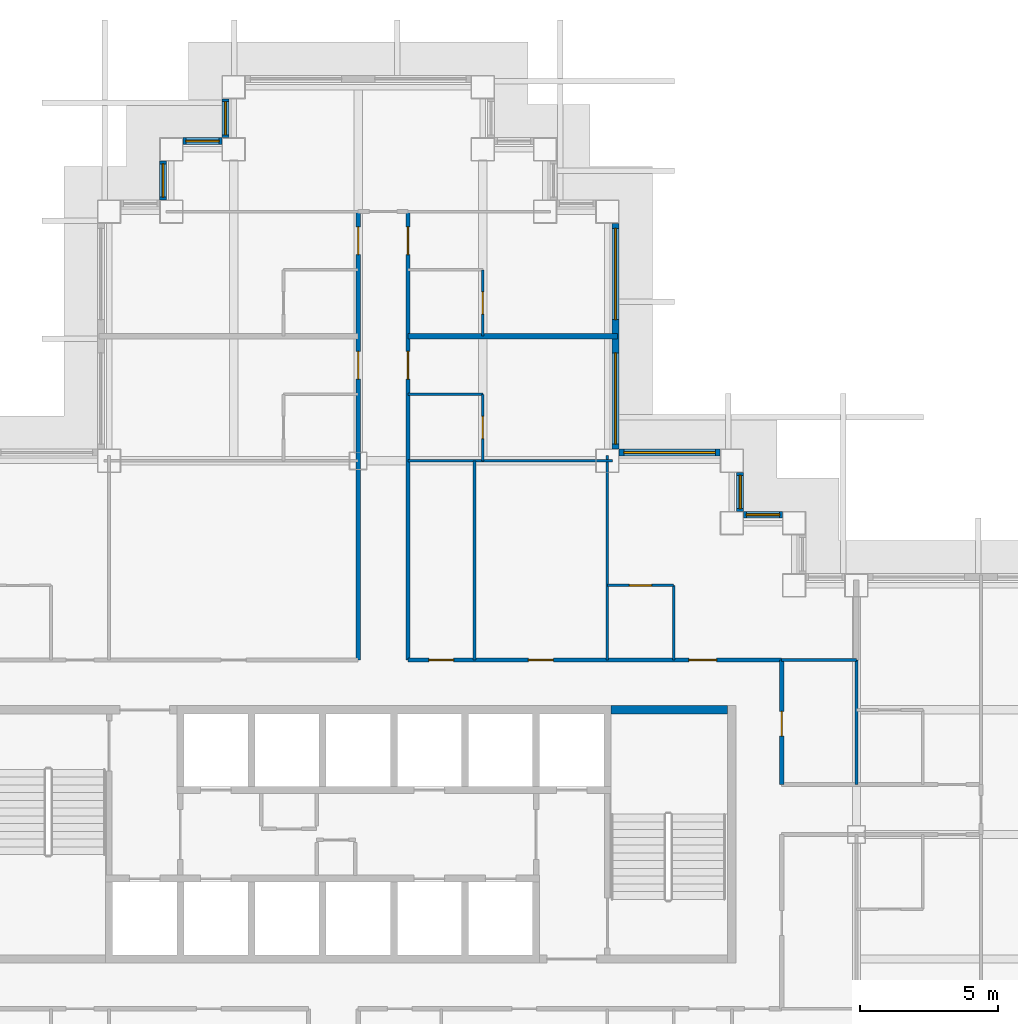
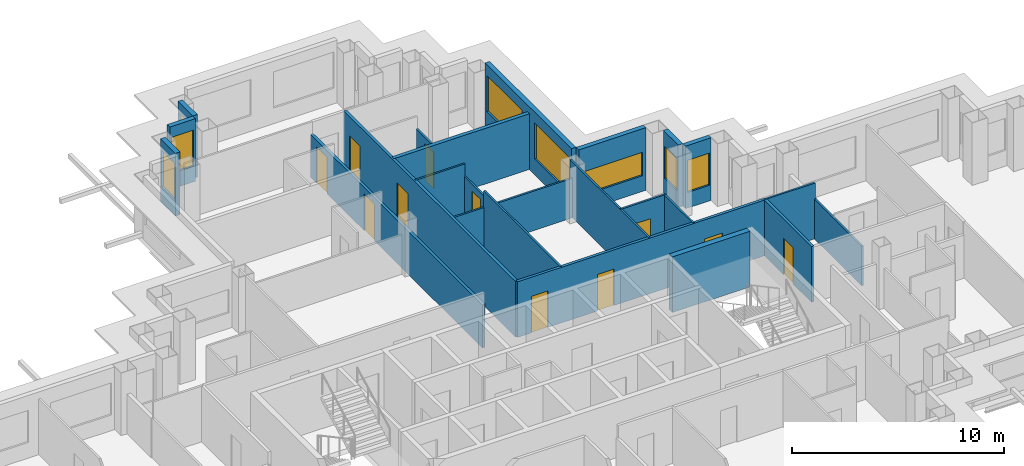
# One storey, part 10 of 17: 23 walls, 11 doors, 8 windows, 19 openings.
"""IFC4 building model written with IfcOpenShell, lengths in metres."""

from ifc_helpers import new_model, si_unit, direction, frame, frame_2d, origin, place, context, subcontext, project, spatial, rectangle, extrude, material, layer, layer_set, type_object, element, fill, save


model = new_model("IFC4")

# Units and contexts
model_context = context("Model", 3, precision=1e-05, world=origin(), true_north=direction((0.0, 1.0)))
body_context = subcontext(model_context, "Body", "Model", "MODEL_VIEW")
ifc_project = project(units=[si_unit("LENGTHUNIT", "METRE"), si_unit("AREAUNIT", "SQUARE_METRE"), si_unit("VOLUMEUNIT", "CUBIC_METRE"), si_unit("PLANEANGLEUNIT", "RADIAN"), si_unit("MASSUNIT", "GRAM", prefix="KILO")], contexts=[model_context])

# Site, building, storey
site_placement = place(None, origin())
site = spatial("IfcSite", under=ifc_project, at=site_placement, CompositionType="ELEMENT")
building_placement = place(site_placement, origin())
building = spatial("IfcBuilding", under=site, at=building_placement, Name="Caravel Reach Hotel and Residences", CompositionType="ELEMENT")
storey_placement = place(building_placement, frame((0.0, 0.0, 136.800048828125)))
storey = spatial("IfcBuildingStorey", under=building, at=storey_placement, Name="L34", CompositionType="ELEMENT", Elevation=136.800048828125)

# Wall, opening, door
ifc_material_1 = material(Name="Gypsum board on steel stud", Category="steel")
ifc_layer_1 = layer(ifc_material_1, 0.10009765625)
ifc_layer_set_1 = layer_set([ifc_layer_1], Name="Bathroom pod wall 100 mm")
wall_type_1 = type_object("IfcWallType", Name="Bathroom pod wall 100 mm", PredefinedType="PARTITIONING", material=ifc_layer_set_1)
wall_1_placement = place(storey_placement, frame((40.5, 36.0, 0.0), z_axis=(0.0, 0.0, 1.0), x_axis=(1.0, 0.0, 0.0)))
wall_1 = element("IfcWall", 1, at=wall_1_placement, inside=storey, type_object=wall_type_1, Name="L34 wall w093", PredefinedType="PARTITIONING", context=body_context, shape_type="SweptSolid", body=[
    extrude(rectangle(XDim=2.39990234375, YDim=0.10009765625, at=frame_2d((1.199951171875, 0.0))), origin(), (0.0, 0.0, 1.0), 3.199951171875),
])
opening_1_placement = place(wall_1_placement, frame((0.800048828125, 0.0, 0.0)))
opening_1 = element("IfcOpeningElement", 2, at=opening_1_placement, cuts=wall_1, Name="Opening D34-051", PredefinedType="OPENING", context=body_context, shape_type="SweptSolid", body=[
    extrude(rectangle(XDim=0.800048828125, YDim=2.10009765625, at=frame_2d((0.39990234375, 1.050048828125))), frame((0.0, 0.06005859375, 0.0), z_axis=(0.0, -1.0, 0.0), x_axis=(1.0, 0.0, 0.0)), (0.0, 0.0, 1.0), 0.1201171875),
])
ifc_material_2 = material(Name="Timber and steel door leaf", Category="steel")
door_type_1 = type_object("IfcDoorType", Name="Bathroom door 800 x 2100", OperationType="SINGLE_SWING_LEFT", PredefinedType="DOOR", material=ifc_material_2)
door_1_placement = place(opening_1_placement, origin())
door_1 = element("IfcDoor", 3, at=door_1_placement, inside=storey, type_object=door_type_1, Name="door D34-051", OperationType="SINGLE_SWING_RIGHT", OverallHeight=2.10009765625, OverallWidth=0.800048828125, PredefinedType="DOOR", context=body_context, shape_type="SweptSolid", body=[
    extrude(rectangle(XDim=0.800048828125, YDim=2.10009765625, at=frame_2d((0.39990234375, 1.050048828125))), frame((0.0, 0.02490234375, 0.0), z_axis=(0.0, -1.0, 0.0), x_axis=(1.0, 0.0, 0.0)), (0.0, 0.0, 1.0), 0.050048828125),
])
fill(opening_1, door_1)

# Wall
wall_2_placement = place(storey_placement, frame((33.300048828125, 42.89990234375, 0.0), z_axis=(0.0, 0.0, 1.0), x_axis=(1.0, 0.0, 0.0)))
element("IfcWall", 4, at=wall_2_placement, inside=storey, type_object=wall_type_1, Name="L34 wall w094", PredefinedType="PARTITIONING", context=body_context, shape_type="SweptSolid", body=[
    extrude(rectangle(XDim=2.699951171875, YDim=0.10009765625, at=frame_2d((1.35009765625, 0.0))), origin(), (0.0, 0.0, 1.0), 3.199951171875),
])

# Wall, opening, door
wall_3_placement = place(storey_placement, frame((36.0, 40.5, 0.0), z_axis=(0.0, 0.0, 1.0), x_axis=(0.0, 1.0, 0.0)))
wall_3 = element("IfcWall", 5, at=wall_3_placement, inside=storey, type_object=wall_type_1, Name="L34 wall w113", PredefinedType="PARTITIONING", context=body_context, shape_type="SweptSolid", body=[
    extrude(rectangle(XDim=2.39990234375, YDim=0.10009765625, at=frame_2d((1.199951171875, 0.0))), origin(), (0.0, 0.0, 1.0), 2.47998046875),
])
opening_2_placement = place(wall_3_placement, frame((0.800048828125, 0.0, 0.0)))
opening_2 = element("IfcOpeningElement", 6, at=opening_2_placement, cuts=wall_3, Name="Opening D34-032", PredefinedType="OPENING", context=body_context, shape_type="SweptSolid", body=[
    extrude(rectangle(XDim=0.800048828125, YDim=2.10009765625, at=frame_2d((0.39990234375, 1.050048828125))), frame((0.0, 0.06005859375, 0.0), z_axis=(0.0, -1.0, 0.0), x_axis=(1.0, 0.0, 0.0)), (0.0, 0.0, 1.0), 0.1201171875),
])
door_2_placement = place(opening_2_placement, origin())
door_2 = element("IfcDoor", 7, at=door_2_placement, inside=storey, type_object=door_type_1, Name="door D34-032", OperationType="SINGLE_SWING_RIGHT", OverallHeight=2.10009765625, OverallWidth=0.800048828125, PredefinedType="DOOR", context=body_context, shape_type="SweptSolid", body=[
    extrude(rectangle(XDim=0.800048828125, YDim=2.10009765625, at=frame_2d((0.39990234375, 1.050048828125))), frame((0.0, 0.02490234375, 0.0), z_axis=(0.0, -1.0, 0.0), x_axis=(1.0, 0.0, 0.0)), (0.0, 0.0, 1.0), 0.050048828125),
])
fill(opening_2, door_2)

wall_4_placement = place(storey_placement, frame((36.0, 45.0, 0.0), z_axis=(0.0, 0.0, 1.0), x_axis=(0.0, 1.0, 0.0)))
wall_4 = element("IfcWall", 8, at=wall_4_placement, inside=storey, type_object=wall_type_1, Name="L34 wall w114", PredefinedType="PARTITIONING", context=body_context, shape_type="SweptSolid", body=[
    extrude(rectangle(XDim=2.39990234375, YDim=0.10009765625, at=frame_2d((1.199951171875, 0.0))), origin(), (0.0, 0.0, 1.0), 2.47998046875),
])
opening_3_placement = place(wall_4_placement, frame((0.800048828125, 0.0, 0.0)))
opening_3 = element("IfcOpeningElement", 9, at=opening_3_placement, cuts=wall_4, Name="Opening D34-034", PredefinedType="OPENING", context=body_context, shape_type="SweptSolid", body=[
    extrude(rectangle(XDim=0.800048828125, YDim=2.10009765625, at=frame_2d((0.39990234375, 1.050048828125))), frame((0.0, 0.06005859375, 0.0), z_axis=(0.0, -1.0, 0.0), x_axis=(1.0, 0.0, 0.0)), (0.0, 0.0, 1.0), 0.1201171875),
])
door_3_placement = place(opening_3_placement, origin())
door_3 = element("IfcDoor", 10, at=door_3_placement, inside=storey, type_object=door_type_1, Name="door D34-034", OperationType="SINGLE_SWING_LEFT", OverallHeight=2.10009765625, OverallWidth=0.800048828125, PredefinedType="DOOR", context=body_context, shape_type="SweptSolid", body=[
    extrude(rectangle(XDim=0.800048828125, YDim=2.10009765625, at=frame_2d((0.39990234375, 1.050048828125))), frame((0.0, 0.02490234375, 0.0), z_axis=(0.0, -1.0, 0.0), x_axis=(1.0, 0.0, 0.0)), (0.0, 0.0, 1.0), 0.050048828125),
])
fill(opening_3, door_3)

# Walls
wall_5_placement = place(storey_placement, frame((42.89990234375, 33.300048828125, 0.0), z_axis=(0.0, 0.0, 1.0), x_axis=(0.0, 1.0, 0.0)))
element("IfcWall", 11, at=wall_5_placement, inside=storey, type_object=wall_type_1, Name="L34 wall w115", PredefinedType="PARTITIONING", context=body_context, shape_type="SweptSolid", body=[
    extrude(rectangle(XDim=2.699951171875, YDim=0.10009765625, at=frame_2d((1.35009765625, 0.0))), origin(), (0.0, 0.0, 1.0), 3.199951171875),
])
ifc_material_3 = material(Name="Concrete C60", Category="concrete")
ifc_layer_2 = layer(ifc_material_3, 0.300048828125)
ifc_layer_set_2 = layer_set([ifc_layer_2], Name="Core wall 300 mm EI 120")
wall_type_2 = type_object("IfcWallType", Name="Core wall 300 mm EI 120", PredefinedType="SHEAR", material=ifc_layer_set_2)
wall_6_placement = place(storey_placement, frame((40.625, 31.5, 0.0), z_axis=(0.0, 0.0, 1.0), x_axis=(1.0, 0.0, 0.0)))
element("IfcWall", 12, at=wall_6_placement, inside=storey, type_object=wall_type_2, Name="L34 core wall N2", PredefinedType="SHEAR", context=body_context, shape_type="SweptSolid", body=[
    extrude(rectangle(XDim=4.22509765625, YDim=0.300048828125, at=frame_2d((2.112548828125, 0.0))), origin(), (0.0, 0.0, 1.0), 3.199951171875),
])

# Wall, openings, doors
ifc_material_4 = material(Name="Gypsum board on steel stud, fire-rated", Category="steel")
ifc_layer_3 = layer(ifc_material_4, 0.14990234375)
ifc_layer_set_3 = layer_set([ifc_layer_3], Name="Corridor wall 150 mm EI 60")
wall_type_3 = type_object("IfcWallType", Name="Corridor wall 150 mm EI 60", PredefinedType="PARTITIONING", material=ifc_layer_set_3)
wall_7_placement = place(storey_placement, frame((33.300048828125, 33.300048828125, 0.0), z_axis=(0.0, 0.0, 1.0), x_axis=(1.0, 0.0, 0.0)))
wall_7 = element("IfcWall", 13, at=wall_7_placement, inside=storey, type_object=wall_type_3, Name="L34 wall w020", PredefinedType="PARTITIONING", context=body_context, shape_type="SweptSolid", body=[
    extrude(rectangle(XDim=13.5, YDim=0.14990234375, at=frame_2d((6.75, 0.0))), origin(), (0.0, 0.0, 1.0), 3.199951171875),
])
opening_4_placement = place(wall_7_placement, frame((10.14990234375, 0.0, 0.0)))
opening_4 = element("IfcOpeningElement", 14, at=opening_4_placement, cuts=wall_7, Name="Opening D34-050", PredefinedType="OPENING", context=body_context, shape_type="SweptSolid", body=[
    extrude(rectangle(XDim=1.0, YDim=2.10009765625, at=frame_2d((0.5, 1.050048828125))), frame((0.0, 0.0849609375, 0.0), z_axis=(0.0, -1.0, 0.0), x_axis=(1.0, 0.0, 0.0)), (0.0, 0.0, 1.0), 0.169921875),
])
opening_5_placement = place(wall_7_placement, frame((0.75, 0.0, 0.0)))
opening_5 = element("IfcOpeningElement", 15, at=opening_5_placement, cuts=wall_7, Name="Opening D34-058", PredefinedType="OPENING", context=body_context, shape_type="SweptSolid", body=[
    extrude(rectangle(XDim=0.89990234375, YDim=2.10009765625, at=frame_2d((0.449951171875, 1.050048828125))), frame((0.0, 0.0849609375, 0.0), z_axis=(0.0, -1.0, 0.0), x_axis=(1.0, 0.0, 0.0)), (0.0, 0.0, 1.0), 0.169921875),
])
opening_6_placement = place(wall_7_placement, frame((4.349853515625, 0.0, 0.0)))
opening_6 = element("IfcOpeningElement", 16, at=opening_6_placement, cuts=wall_7, Name="Opening D34-059", PredefinedType="OPENING", context=body_context, shape_type="SweptSolid", body=[
    extrude(rectangle(XDim=0.89990234375, YDim=2.10009765625, at=frame_2d((0.449951171875, 1.050048828125))), frame((0.0, 0.0849609375, 0.0), z_axis=(0.0, -1.0, 0.0), x_axis=(1.0, 0.0, 0.0)), (0.0, 0.0, 1.0), 0.169921875),
])
ifc_material_5 = material(Name="Timber and steel door leaf", Category="steel")
door_type_2 = type_object("IfcDoorType", Name="Door 900 x 2100 timber", OperationType="SINGLE_SWING_LEFT", PredefinedType="DOOR", material=ifc_material_5)
door_4_placement = place(opening_5_placement, origin())
door_4 = element("IfcDoor", 17, at=door_4_placement, inside=storey, type_object=door_type_2, Name="door D34-058", OperationType="SINGLE_SWING_LEFT", OverallHeight=2.10009765625, OverallWidth=0.89990234375, PredefinedType="DOOR", context=body_context, shape_type="SweptSolid", body=[
    extrude(rectangle(XDim=0.89990234375, YDim=2.10009765625, at=frame_2d((0.449951171875, 1.050048828125))), frame((0.0, 0.02490234375, 0.0), z_axis=(0.0, -1.0, 0.0), x_axis=(1.0, 0.0, 0.0)), (0.0, 0.0, 1.0), 0.050048828125),
])
fill(opening_5, door_4)
door_5_placement = place(opening_6_placement, origin())
door_5 = element("IfcDoor", 18, at=door_5_placement, inside=storey, type_object=door_type_2, Name="door D34-059", OperationType="SINGLE_SWING_RIGHT", OverallHeight=2.10009765625, OverallWidth=0.89990234375, PredefinedType="DOOR", context=body_context, shape_type="SweptSolid", body=[
    extrude(rectangle(XDim=0.89990234375, YDim=2.10009765625, at=frame_2d((0.449951171875, 1.050048828125))), frame((0.0, 0.02490234375, 0.0), z_axis=(0.0, -1.0, 0.0), x_axis=(1.0, 0.0, 0.0)), (0.0, 0.0, 1.0), 0.050048828125),
])
fill(opening_6, door_5)
ifc_material_6 = material(Name="Steel fire door leaf", Category="steel")
door_type_3 = type_object("IfcDoorType", Name="Guest room door 1000 x 2100 EI 30", OperationType="SINGLE_SWING_LEFT", PredefinedType="DOOR", material=ifc_material_6)
door_6_placement = place(opening_4_placement, origin())
door_6 = element("IfcDoor", 19, at=door_6_placement, inside=storey, type_object=door_type_3, Name="door D34-050", OperationType="SINGLE_SWING_RIGHT", OverallHeight=2.10009765625, OverallWidth=1.0, PredefinedType="DOOR", context=body_context, shape_type="SweptSolid", body=[
    extrude(rectangle(XDim=1.0, YDim=2.10009765625, at=frame_2d((0.5, 1.050048828125))), frame((0.0, 0.02490234375, 0.0), z_axis=(0.0, -1.0, 0.0), x_axis=(1.0, 0.0, 0.0)), (0.0, 0.0, 1.0), 0.050048828125),
])
fill(opening_4, door_6)

wall_8_placement = place(storey_placement, frame((31.5, 33.300048828125, 0.0), z_axis=(0.0, 0.0, 1.0), x_axis=(0.0, 1.0, 0.0)))
wall_8 = element("IfcWall", 20, at=wall_8_placement, inside=storey, type_object=wall_type_3, Name="L34 wall w031", PredefinedType="PARTITIONING", context=body_context, shape_type="SweptSolid", body=[
    extrude(rectangle(XDim=16.199951171875, YDim=0.14990234375, at=frame_2d((8.10009765625, 0.0))), origin(), (0.0, 0.0, 1.0), 2.47998046875),
])
opening_7_placement = place(wall_8_placement, frame((10.14990234375, 0.0, 0.0)))
opening_7 = element("IfcOpeningElement", 21, at=opening_7_placement, cuts=wall_8, Name="Opening D34-027", PredefinedType="OPENING", context=body_context, shape_type="SweptSolid", body=[
    extrude(rectangle(XDim=1.0, YDim=2.10009765625, at=frame_2d((0.5, 1.050048828125))), frame((0.0, 0.0849609375, 0.0), z_axis=(0.0, -1.0, 0.0), x_axis=(1.0, 0.0, 0.0)), (0.0, 0.0, 1.0), 0.169921875),
])
opening_8_placement = place(wall_8_placement, frame((14.64990234375, 0.0, 0.0)))
opening_8 = element("IfcOpeningElement", 22, at=opening_8_placement, cuts=wall_8, Name="Opening D34-029", PredefinedType="OPENING", context=body_context, shape_type="SweptSolid", body=[
    extrude(rectangle(XDim=1.0, YDim=2.10009765625, at=frame_2d((0.5, 1.050048828125))), frame((0.0, 0.0849609375, 0.0), z_axis=(0.0, -1.0, 0.0), x_axis=(1.0, 0.0, 0.0)), (0.0, 0.0, 1.0), 0.169921875),
])
door_7_placement = place(opening_7_placement, origin())
door_7 = element("IfcDoor", 23, at=door_7_placement, inside=storey, type_object=door_type_3, Name="door D34-027", OperationType="SINGLE_SWING_RIGHT", OverallHeight=2.10009765625, OverallWidth=1.0, PredefinedType="DOOR", context=body_context, shape_type="SweptSolid", body=[
    extrude(rectangle(XDim=1.0, YDim=2.10009765625, at=frame_2d((0.5, 1.050048828125))), frame((0.0, 0.02490234375, 0.0), z_axis=(0.0, -1.0, 0.0), x_axis=(1.0, 0.0, 0.0)), (0.0, 0.0, 1.0), 0.050048828125),
])
fill(opening_7, door_7)
door_8_placement = place(opening_8_placement, origin())
door_8 = element("IfcDoor", 24, at=door_8_placement, inside=storey, type_object=door_type_3, Name="door D34-029", OperationType="SINGLE_SWING_RIGHT", OverallHeight=2.10009765625, OverallWidth=1.0, PredefinedType="DOOR", context=body_context, shape_type="SweptSolid", body=[
    extrude(rectangle(XDim=1.0, YDim=2.10009765625, at=frame_2d((0.5, 1.050048828125))), frame((0.0, 0.02490234375, 0.0), z_axis=(0.0, -1.0, 0.0), x_axis=(1.0, 0.0, 0.0)), (0.0, 0.0, 1.0), 0.050048828125),
])
fill(opening_8, door_8)

wall_9_placement = place(storey_placement, frame((33.300048828125, 33.300048828125, 0.0), z_axis=(0.0, 0.0, 1.0), x_axis=(0.0, 1.0, 0.0)))
wall_9 = element("IfcWall", 25, at=wall_9_placement, inside=storey, type_object=wall_type_3, Name="L34 wall w037", PredefinedType="PARTITIONING", context=body_context, shape_type="SweptSolid", body=[
    extrude(rectangle(XDim=16.199951171875, YDim=0.14990234375, at=frame_2d((8.10009765625, 0.0))), origin(), (0.0, 0.0, 1.0), 3.199951171875),
])
opening_9_placement = place(wall_9_placement, frame((10.14990234375, 0.0, 0.0)))
opening_9 = element("IfcOpeningElement", 26, at=opening_9_placement, cuts=wall_9, Name="Opening D34-031", PredefinedType="OPENING", context=body_context, shape_type="SweptSolid", body=[
    extrude(rectangle(XDim=1.0, YDim=2.10009765625, at=frame_2d((0.5, 1.050048828125))), frame((0.0, 0.0849609375, 0.0), z_axis=(0.0, -1.0, 0.0), x_axis=(1.0, 0.0, 0.0)), (0.0, 0.0, 1.0), 0.169921875),
])
opening_10_placement = place(wall_9_placement, frame((14.64990234375, 0.0, 0.0)))
opening_10 = element("IfcOpeningElement", 27, at=opening_10_placement, cuts=wall_9, Name="Opening D34-033", PredefinedType="OPENING", context=body_context, shape_type="SweptSolid", body=[
    extrude(rectangle(XDim=1.0, YDim=2.10009765625, at=frame_2d((0.5, 1.050048828125))), frame((0.0, 0.0849609375, 0.0), z_axis=(0.0, -1.0, 0.0), x_axis=(1.0, 0.0, 0.0)), (0.0, 0.0, 1.0), 0.169921875),
])
door_9_placement = place(opening_9_placement, origin())
door_9 = element("IfcDoor", 28, at=door_9_placement, inside=storey, type_object=door_type_3, Name="door D34-031", OperationType="SINGLE_SWING_RIGHT", OverallHeight=2.10009765625, OverallWidth=1.0, PredefinedType="DOOR", context=body_context, shape_type="SweptSolid", body=[
    extrude(rectangle(XDim=1.0, YDim=2.10009765625, at=frame_2d((0.5, 1.050048828125))), frame((0.0, 0.02490234375, 0.0), z_axis=(0.0, -1.0, 0.0), x_axis=(1.0, 0.0, 0.0)), (0.0, 0.0, 1.0), 0.050048828125),
])
fill(opening_9, door_9)
door_10_placement = place(opening_10_placement, origin())
door_10 = element("IfcDoor", 29, at=door_10_placement, inside=storey, type_object=door_type_3, Name="door D34-033", OperationType="SINGLE_SWING_RIGHT", OverallHeight=2.10009765625, OverallWidth=1.0, PredefinedType="DOOR", context=body_context, shape_type="SweptSolid", body=[
    extrude(rectangle(XDim=1.0, YDim=2.10009765625, at=frame_2d((0.5, 1.050048828125))), frame((0.0, 0.02490234375, 0.0), z_axis=(0.0, -1.0, 0.0), x_axis=(1.0, 0.0, 0.0)), (0.0, 0.0, 1.0), 0.050048828125),
])
fill(opening_10, door_10)

# Wall, opening, door
wall_10_placement = place(storey_placement, frame((46.800048828125, 28.800048828125, 0.0), z_axis=(0.0, 0.0, 1.0), x_axis=(0.0, 1.0, 0.0)))
wall_10 = element("IfcWall", 30, at=wall_10_placement, inside=storey, type_object=wall_type_3, Name="L34 wall w039", PredefinedType="PARTITIONING", context=body_context, shape_type="SweptSolid", body=[
    extrude(rectangle(XDim=4.5, YDim=0.14990234375, at=frame_2d((2.25, 0.0))), origin(), (0.0, 0.0, 1.0), 3.199951171875),
])
opening_11_placement = place(wall_10_placement, frame((1.75, 0.0, 0.0)))
opening_11 = element("IfcOpeningElement", 31, at=opening_11_placement, cuts=wall_10, Name="Opening D34-066", PredefinedType="OPENING", context=body_context, shape_type="SweptSolid", body=[
    extrude(rectangle(XDim=0.89990234375, YDim=2.10009765625, at=frame_2d((0.449951171875, 1.050048828125))), frame((0.0, 0.0849609375, 0.0), z_axis=(0.0, -1.0, 0.0), x_axis=(1.0, 0.0, 0.0)), (0.0, 0.0, 1.0), 0.169921875),
])
door_11_placement = place(opening_11_placement, origin())
door_11 = element("IfcDoor", 32, at=door_11_placement, inside=storey, type_object=door_type_2, Name="door D34-066", OperationType="SINGLE_SWING_LEFT", OverallHeight=2.10009765625, OverallWidth=0.89990234375, PredefinedType="DOOR", context=body_context, shape_type="SweptSolid", body=[
    extrude(rectangle(XDim=0.89990234375, YDim=2.10009765625, at=frame_2d((0.449951171875, 1.050048828125))), frame((0.0, 0.02490234375, 0.0), z_axis=(0.0, -1.0, 0.0), x_axis=(1.0, 0.0, 0.0)), (0.0, 0.0, 1.0), 0.050048828125),
])
fill(opening_11, door_11)

# Wall, opening, window
ifc_material_7 = material(Name="Insulated rainscreen wall, aluminium cladding", Category="aluminium")
ifc_layer_4 = layer(ifc_material_7, 0.25)
ifc_layer_set_4 = layer_set([ifc_layer_4], Name="EW1 Tower rainscreen wall")
wall_type_4 = type_object("IfcWallType", Name="EW1 Tower rainscreen wall", PredefinedType="SOLIDWALL", material=ifc_layer_set_4)
wall_11_placement = place(storey_placement, frame((46.824951171875, 38.550048828125, 0.0), z_axis=(0.0, 0.0, 1.0), x_axis=(-1.0, 0.0, 0.0)))
wall_11 = element("IfcWall", 33, at=wall_11_placement, inside=storey, type_object=wall_type_4, Name="External wall L34 N27.1", PredefinedType="SOLIDWALL", context=body_context, shape_type="SweptSolid", body=[
    extrude(rectangle(XDim=1.39990234375, YDim=0.25, at=frame_2d((0.699951171875, 0.0))), origin(), (0.0, 0.0, 1.0), 3.599853515625),
])
opening_12_placement = place(wall_11_placement, frame((0.10009765625, 0.0, 0.89990234375)))
opening_12 = element("IfcOpeningElement", 34, at=opening_12_placement, cuts=wall_11, Name="Opening WN10", PredefinedType="OPENING", context=body_context, shape_type="SweptSolid", body=[
    extrude(rectangle(XDim=1.199951171875, YDim=1.85009765625, at=frame_2d((0.60009765625, 0.925048828125))), frame((0.0, 0.135009765625, 0.0), z_axis=(0.0, -1.0, 0.0), x_axis=(1.0, 0.0, 0.0)), (0.0, 0.0, 1.0), 0.27001953125),
])
ifc_material_8 = material(Name="Dark low-e glazing in black aluminium frame", Category="aluminium")
window_type_1 = type_object("IfcWindowType", Name="Hotel suite corner window 1200 x 1850", PartitioningType="SINGLE_PANEL", PredefinedType="WINDOW", material=ifc_material_8)
window_1_placement = place(opening_12_placement, origin())
window_1 = element("IfcWindow", 35, at=window_1_placement, inside=storey, type_object=window_type_1, Name="Window L34 N27.1.1", OverallHeight=1.85009765625, OverallWidth=1.199951171875, PartitioningType="SINGLE_PANEL", PredefinedType="WINDOW", context=body_context, shape_type="SweptSolid", body=[
    extrude(rectangle(XDim=1.199951171875, YDim=1.85009765625, at=frame_2d((0.60009765625, 0.925048828125))), frame((0.0, 0.030029296875, 0.0), z_axis=(0.0, -1.0, 0.0), x_axis=(1.0, 0.0, 0.0)), (0.0, 0.0, 1.0), 0.06005859375),
])
fill(opening_12, window_1)

wall_12_placement = place(storey_placement, frame((45.300048828125, 38.675048828125, 0.0), z_axis=(0.0, 0.0, 1.0), x_axis=(0.0, 1.0, 0.0)))
wall_12 = element("IfcWall", 36, at=wall_12_placement, inside=storey, type_object=wall_type_4, Name="External wall L34 E28.1", PredefinedType="SOLIDWALL", context=body_context, shape_type="SweptSolid", body=[
    extrude(rectangle(XDim=1.39990234375, YDim=0.25, at=frame_2d((0.699951171875, 0.0))), origin(), (0.0, 0.0, 1.0), 3.599853515625),
])
opening_13_placement = place(wall_12_placement, frame((0.10009765625, 0.0, 0.89990234375)))
opening_13 = element("IfcOpeningElement", 37, at=opening_13_placement, cuts=wall_12, Name="Opening WN10", PredefinedType="OPENING", context=body_context, shape_type="SweptSolid", body=[
    extrude(rectangle(XDim=1.199951171875, YDim=1.85009765625, at=frame_2d((0.60009765625, 0.925048828125))), frame((0.0, 0.135009765625, 0.0), z_axis=(0.0, -1.0, 0.0), x_axis=(1.0, 0.0, 0.0)), (0.0, 0.0, 1.0), 0.27001953125),
])
window_2_placement = place(opening_13_placement, origin())
window_2 = element("IfcWindow", 38, at=window_2_placement, inside=storey, type_object=window_type_1, Name="Window L34 E28.1.1", OverallHeight=1.85009765625, OverallWidth=1.199951171875, PartitioningType="SINGLE_PANEL", PredefinedType="WINDOW", context=body_context, shape_type="SweptSolid", body=[
    extrude(rectangle(XDim=1.199951171875, YDim=1.85009765625, at=frame_2d((0.60009765625, 0.925048828125))), frame((0.0, 0.030029296875, 0.0), z_axis=(0.0, -1.0, 0.0), x_axis=(1.0, 0.0, 0.0)), (0.0, 0.0, 1.0), 0.06005859375),
])
fill(opening_13, window_2)

wall_13_placement = place(storey_placement, frame((44.574951171875, 40.800048828125, 0.0), z_axis=(0.0, 0.0, 1.0), x_axis=(-1.0, 0.0, 0.0)))
wall_13 = element("IfcWall", 39, at=wall_13_placement, inside=storey, type_object=wall_type_4, Name="External wall L34 N29.1", PredefinedType="SOLIDWALL", context=body_context, shape_type="SweptSolid", body=[
    extrude(rectangle(XDim=3.64990234375, YDim=0.25, at=frame_2d((1.824951171875, 0.0))), origin(), (0.0, 0.0, 1.0), 3.599853515625),
])
opening_14_placement = place(wall_13_placement, frame((0.175048828125, 0.0, 0.89990234375)))
opening_14 = element("IfcOpeningElement", 40, at=opening_14_placement, cuts=wall_13, Name="Opening WN11", PredefinedType="OPENING", context=body_context, shape_type="SweptSolid", body=[
    extrude(rectangle(XDim=3.300048828125, YDim=1.35009765625, at=frame_2d((1.64990234375, 0.675048828125))), frame((0.0, 0.135009765625, 0.0), z_axis=(0.0, -1.0, 0.0), x_axis=(1.0, 0.0, 0.0)), (0.0, 0.0, 1.0), 0.27001953125),
])
ifc_material_9 = material(Name="Dark low-e glazing in black aluminium frame", Category="aluminium")
window_type_2 = type_object("IfcWindowType", Name="Hotel guest room window 3300 x 1350", PartitioningType="SINGLE_PANEL", PredefinedType="WINDOW", material=ifc_material_9)
window_3_placement = place(opening_14_placement, origin())
window_3 = element("IfcWindow", 41, at=window_3_placement, inside=storey, type_object=window_type_2, Name="Window L34 N29.1.1", OverallHeight=1.35009765625, OverallWidth=3.300048828125, PartitioningType="SINGLE_PANEL", PredefinedType="WINDOW", context=body_context, shape_type="SweptSolid", body=[
    extrude(rectangle(XDim=3.300048828125, YDim=1.35009765625, at=frame_2d((1.64990234375, 0.675048828125))), frame((0.0, 0.030029296875, 0.0), z_axis=(0.0, -1.0, 0.0), x_axis=(1.0, 0.0, 0.0)), (0.0, 0.0, 1.0), 0.06005859375),
])
fill(opening_14, window_3)

# Wall, openings, windows
wall_14_placement = place(storey_placement, frame((40.800048828125, 40.925048828125, 0.0), z_axis=(0.0, 0.0, 1.0), x_axis=(0.0, 1.0, 0.0)))
wall_14 = element("IfcWall", 42, at=wall_14_placement, inside=storey, type_object=wall_type_4, Name="External wall L34 E30.1", PredefinedType="SOLIDWALL", context=body_context, shape_type="SweptSolid", body=[
    extrude(rectangle(XDim=8.14990234375, YDim=0.25, at=frame_2d((4.074951171875, 0.0))), origin(), (0.0, 0.0, 1.0), 3.599853515625),
])
opening_15_placement = place(wall_14_placement, frame((0.175048828125, 0.0, 0.89990234375)))
opening_15 = element("IfcOpeningElement", 43, at=opening_15_placement, cuts=wall_14, Name="Opening WN4", PredefinedType="OPENING", context=body_context, shape_type="SweptSolid", body=[
    extrude(rectangle(XDim=3.300048828125, YDim=2.080078125, at=frame_2d((1.64990234375, 1.0400390625))), frame((0.0, 0.135009765625, 0.0), z_axis=(0.0, -1.0, 0.0), x_axis=(1.0, 0.0, 0.0)), (0.0, 0.0, 1.0), 0.27001953125),
])
opening_16_placement = place(wall_14_placement, frame((4.675048828125, 0.0, 0.89990234375)))
opening_16 = element("IfcOpeningElement", 44, at=opening_16_placement, cuts=wall_14, Name="Opening WN4", PredefinedType="OPENING", context=body_context, shape_type="SweptSolid", body=[
    extrude(rectangle(XDim=3.300048828125, YDim=2.080078125, at=frame_2d((1.64990234375, 1.0400390625))), frame((0.0, 0.135009765625, 0.0), z_axis=(0.0, -1.0, 0.0), x_axis=(1.0, 0.0, 0.0)), (0.0, 0.0, 1.0), 0.27001953125),
])
ifc_material_10 = material(Name="Dark low-e glazing in black aluminium frame", Category="aluminium")
window_type_3 = type_object("IfcWindowType", Name="Hotel guest room window 3300 x 2080", PartitioningType="SINGLE_PANEL", PredefinedType="WINDOW", material=ifc_material_10)
window_4_placement = place(opening_15_placement, origin())
window_4 = element("IfcWindow", 45, at=window_4_placement, inside=storey, type_object=window_type_3, Name="Window L34 E30.1.1", OverallHeight=2.080078125, OverallWidth=3.300048828125, PartitioningType="SINGLE_PANEL", PredefinedType="WINDOW", context=body_context, shape_type="SweptSolid", body=[
    extrude(rectangle(XDim=3.300048828125, YDim=2.080078125, at=frame_2d((1.64990234375, 1.0400390625))), frame((0.0, 0.030029296875, 0.0), z_axis=(0.0, -1.0, 0.0), x_axis=(1.0, 0.0, 0.0)), (0.0, 0.0, 1.0), 0.06005859375),
])
fill(opening_15, window_4)
window_5_placement = place(opening_16_placement, origin())
window_5 = element("IfcWindow", 46, at=window_5_placement, inside=storey, type_object=window_type_3, Name="Window L34 E30.1.2", OverallHeight=2.080078125, OverallWidth=3.300048828125, PartitioningType="SINGLE_PANEL", PredefinedType="WINDOW", context=body_context, shape_type="SweptSolid", body=[
    extrude(rectangle(XDim=3.300048828125, YDim=2.080078125, at=frame_2d((1.64990234375, 1.0400390625))), frame((0.0, 0.030029296875, 0.0), z_axis=(0.0, -1.0, 0.0), x_axis=(1.0, 0.0, 0.0)), (0.0, 0.0, 1.0), 0.06005859375),
])
fill(opening_16, window_5)

# Wall, opening, window
wall_15_placement = place(storey_placement, frame((26.699951171875, 53.574951171875, 0.0), z_axis=(0.0, 0.0, 1.0), x_axis=(0.0, -1.0, 0.0)))
wall_15 = element("IfcWall", 47, at=wall_15_placement, inside=storey, type_object=wall_type_4, Name="External wall L34 W36.1", PredefinedType="SOLIDWALL", context=body_context, shape_type="SweptSolid", body=[
    extrude(rectangle(XDim=1.39990234375, YDim=0.25, at=frame_2d((0.699951171875, 0.0))), origin(), (0.0, 0.0, 1.0), 3.599853515625),
])
opening_17_placement = place(wall_15_placement, frame((0.10009765625, 0.0, 0.89990234375)))
opening_17 = element("IfcOpeningElement", 48, at=opening_17_placement, cuts=wall_15, Name="Opening WN9", PredefinedType="OPENING", context=body_context, shape_type="SweptSolid", body=[
    extrude(rectangle(XDim=1.199951171875, YDim=2.080078125, at=frame_2d((0.60009765625, 1.0400390625))), frame((0.0, 0.135009765625, 0.0), z_axis=(0.0, -1.0, 0.0), x_axis=(1.0, 0.0, 0.0)), (0.0, 0.0, 1.0), 0.27001953125),
])
ifc_material_11 = material(Name="Dark low-e glazing in black aluminium frame", Category="aluminium")
window_type_4 = type_object("IfcWindowType", Name="Hotel suite corner window 1200 x 2080", PartitioningType="SINGLE_PANEL", PredefinedType="WINDOW", material=ifc_material_11)
window_6_placement = place(opening_17_placement, origin())
window_6 = element("IfcWindow", 49, at=window_6_placement, inside=storey, type_object=window_type_4, Name="Window L34 W36.1.1", OverallHeight=2.080078125, OverallWidth=1.199951171875, PartitioningType="SINGLE_PANEL", PredefinedType="WINDOW", context=body_context, shape_type="SweptSolid", body=[
    extrude(rectangle(XDim=1.199951171875, YDim=2.080078125, at=frame_2d((0.60009765625, 1.0400390625))), frame((0.0, 0.030029296875, 0.0), z_axis=(0.0, -1.0, 0.0), x_axis=(1.0, 0.0, 0.0)), (0.0, 0.0, 1.0), 0.06005859375),
])
fill(opening_17, window_6)

wall_16_placement = place(storey_placement, frame((26.574951171875, 52.050048828125, 0.0), z_axis=(0.0, 0.0, 1.0), x_axis=(-1.0, 0.0, 0.0)))
wall_16 = element("IfcWall", 50, at=wall_16_placement, inside=storey, type_object=wall_type_4, Name="External wall L34 N37.1", PredefinedType="SOLIDWALL", context=body_context, shape_type="SweptSolid", body=[
    extrude(rectangle(XDim=1.39990234375, YDim=0.25, at=frame_2d((0.699951171875, 0.0))), origin(), (0.0, 0.0, 1.0), 3.599853515625),
])
opening_18_placement = place(wall_16_placement, frame((0.10009765625, 0.0, 0.89990234375)))
opening_18 = element("IfcOpeningElement", 51, at=opening_18_placement, cuts=wall_16, Name="Opening WN9", PredefinedType="OPENING", context=body_context, shape_type="SweptSolid", body=[
    extrude(rectangle(XDim=1.199951171875, YDim=2.080078125, at=frame_2d((0.60009765625, 1.0400390625))), frame((0.0, 0.135009765625, 0.0), z_axis=(0.0, -1.0, 0.0), x_axis=(1.0, 0.0, 0.0)), (0.0, 0.0, 1.0), 0.27001953125),
])
window_7_placement = place(opening_18_placement, origin())
window_7 = element("IfcWindow", 52, at=window_7_placement, inside=storey, type_object=window_type_4, Name="Window L34 N37.1.1", OverallHeight=2.080078125, OverallWidth=1.199951171875, PartitioningType="SINGLE_PANEL", PredefinedType="WINDOW", context=body_context, shape_type="SweptSolid", body=[
    extrude(rectangle(XDim=1.199951171875, YDim=2.080078125, at=frame_2d((0.60009765625, 1.0400390625))), frame((0.0, 0.030029296875, 0.0), z_axis=(0.0, -1.0, 0.0), x_axis=(1.0, 0.0, 0.0)), (0.0, 0.0, 1.0), 0.06005859375),
])
fill(opening_18, window_7)

wall_17_placement = place(storey_placement, frame((24.449951171875, 51.324951171875, 0.0), z_axis=(0.0, 0.0, 1.0), x_axis=(0.0, -1.0, 0.0)))
wall_17 = element("IfcWall", 53, at=wall_17_placement, inside=storey, type_object=wall_type_4, Name="External wall L34 W38.1", PredefinedType="SOLIDWALL", context=body_context, shape_type="SweptSolid", body=[
    extrude(rectangle(XDim=1.39990234375, YDim=0.25, at=frame_2d((0.699951171875, 0.0))), origin(), (0.0, 0.0, 1.0), 3.599853515625),
])
opening_19_placement = place(wall_17_placement, frame((0.10009765625, 0.0, 0.89990234375)))
opening_19 = element("IfcOpeningElement", 54, at=opening_19_placement, cuts=wall_17, Name="Opening WN9", PredefinedType="OPENING", context=body_context, shape_type="SweptSolid", body=[
    extrude(rectangle(XDim=1.199951171875, YDim=2.080078125, at=frame_2d((0.60009765625, 1.0400390625))), frame((0.0, 0.135009765625, 0.0), z_axis=(0.0, -1.0, 0.0), x_axis=(1.0, 0.0, 0.0)), (0.0, 0.0, 1.0), 0.27001953125),
])
window_8_placement = place(opening_19_placement, origin())
window_8 = element("IfcWindow", 55, at=window_8_placement, inside=storey, type_object=window_type_4, Name="Window L34 W38.1.1", OverallHeight=2.080078125, OverallWidth=1.199951171875, PartitioningType="SINGLE_PANEL", PredefinedType="WINDOW", context=body_context, shape_type="SweptSolid", body=[
    extrude(rectangle(XDim=1.199951171875, YDim=2.080078125, at=frame_2d((0.60009765625, 1.0400390625))), frame((0.0, 0.030029296875, 0.0), z_axis=(0.0, -1.0, 0.0), x_axis=(1.0, 0.0, 0.0)), (0.0, 0.0, 1.0), 0.06005859375),
])
fill(opening_19, window_8)

# Walls
ifc_material_12 = material(Name="Gypsum board on steel stud", Category="steel")
ifc_layer_5 = layer(ifc_material_12, 0.10009765625)
ifc_layer_set_5 = layer_set([ifc_layer_5], Name="Partition 100 mm")
wall_type_5 = type_object("IfcWallType", Name="Partition 100 mm", PredefinedType="PARTITIONING", material=ifc_layer_set_5)
wall_18_placement = place(storey_placement, frame((46.800048828125, 33.300048828125, 0.0), z_axis=(0.0, 0.0, 1.0), x_axis=(1.0, 0.0, 0.0)))
element("IfcWall", 56, at=wall_18_placement, inside=storey, type_object=wall_type_5, Name="L34 wall w048", PredefinedType="PARTITIONING", context=body_context, shape_type="SweptSolid", body=[
    extrude(rectangle(XDim=2.699951171875, YDim=0.10009765625, at=frame_2d((1.35009765625, 0.0))), origin(), (0.0, 0.0, 1.0), 3.199951171875),
])
wall_19_placement = place(storey_placement, frame((33.300048828125, 40.5, 0.0), z_axis=(0.0, 0.0, 1.0), x_axis=(1.0, 0.0, 0.0)))
element("IfcWall", 57, at=wall_19_placement, inside=storey, type_object=wall_type_5, Name="L34 wall w049", PredefinedType="PARTITIONING", context=body_context, shape_type="SweptSolid", body=[
    extrude(rectangle(XDim=7.389892578125, YDim=0.10009765625, at=frame_2d((3.69482421875, 0.0))), origin(), (0.0, 0.0, 1.0), 2.26806640625),
])
wall_20_placement = place(storey_placement, frame((35.699951171875, 33.300048828125, 0.0), z_axis=(0.0, 0.0, 1.0), x_axis=(0.0, 1.0, 0.0)))
element("IfcWall", 58, at=wall_20_placement, inside=storey, type_object=wall_type_5, Name="L34 wall w060", PredefinedType="PARTITIONING", context=body_context, shape_type="SweptSolid", body=[
    extrude(rectangle(XDim=7.199951171875, YDim=0.10009765625, at=frame_2d((3.60009765625, 0.0))), origin(), (0.0, 0.0, 1.0), 3.199951171875),
])
wall_21_placement = place(storey_placement, frame((40.5, 33.300048828125, 0.0), z_axis=(0.0, 0.0, 1.0), x_axis=(0.0, 1.0, 0.0)))
element("IfcWall", 59, at=wall_21_placement, inside=storey, type_object=wall_type_5, Name="L34 wall w061", PredefinedType="PARTITIONING", context=body_context, shape_type="SweptSolid", body=[
    extrude(rectangle(XDim=7.389892578125, YDim=0.10009765625, at=frame_2d((3.69482421875, 0.0))), origin(), (0.0, 0.0, 1.0), 3.199951171875),
])
wall_22_placement = place(storey_placement, frame((49.5, 28.800048828125, 0.0), z_axis=(0.0, 0.0, 1.0), x_axis=(0.0, 1.0, 0.0)))
element("IfcWall", 60, at=wall_22_placement, inside=storey, type_object=wall_type_5, Name="L34 wall w064", PredefinedType="PARTITIONING", context=body_context, shape_type="SweptSolid", body=[
    extrude(rectangle(XDim=4.5, YDim=0.10009765625, at=frame_2d((2.25, 0.0))), origin(), (0.0, 0.0, 1.0), 2.280029296875),
])
ifc_material_13 = material(Name="Autoclaved aerated block wall")
ifc_layer_6 = layer(ifc_material_13, 0.199951171875)
ifc_layer_set_6 = layer_set([ifc_layer_6], Name="Party wall 200 mm EI 60")
wall_type_6 = type_object("IfcWallType", Name="Party wall 200 mm EI 60", PredefinedType="PARTITIONING", material=ifc_layer_set_6)
wall_23_placement = place(storey_placement, frame((33.300048828125, 45.0, 0.0), z_axis=(0.0, 0.0, 1.0), x_axis=(1.0, 0.0, 0.0)))
element("IfcWall", 61, at=wall_23_placement, inside=storey, type_object=wall_type_6, Name="L34 wall w072", PredefinedType="PARTITIONING", context=body_context, shape_type="SweptSolid", body=[
    extrude(rectangle(XDim=7.56494140625, YDim=0.199951171875, at=frame_2d((3.782470703125, 0.0))), origin(), (0.0, 0.0, 1.0), 3.199951171875),
])

save(model, "model.ifc")
